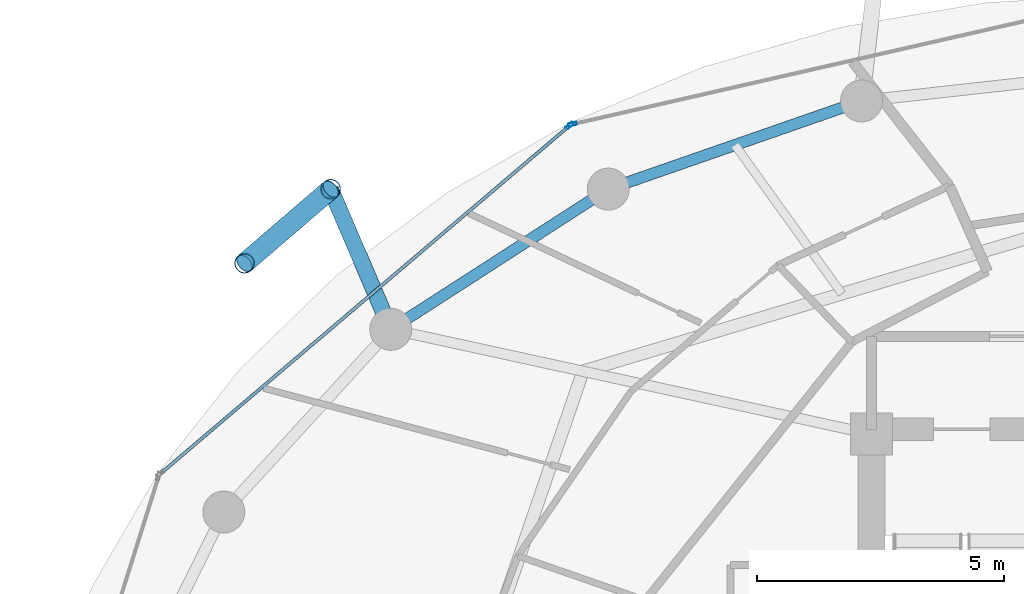
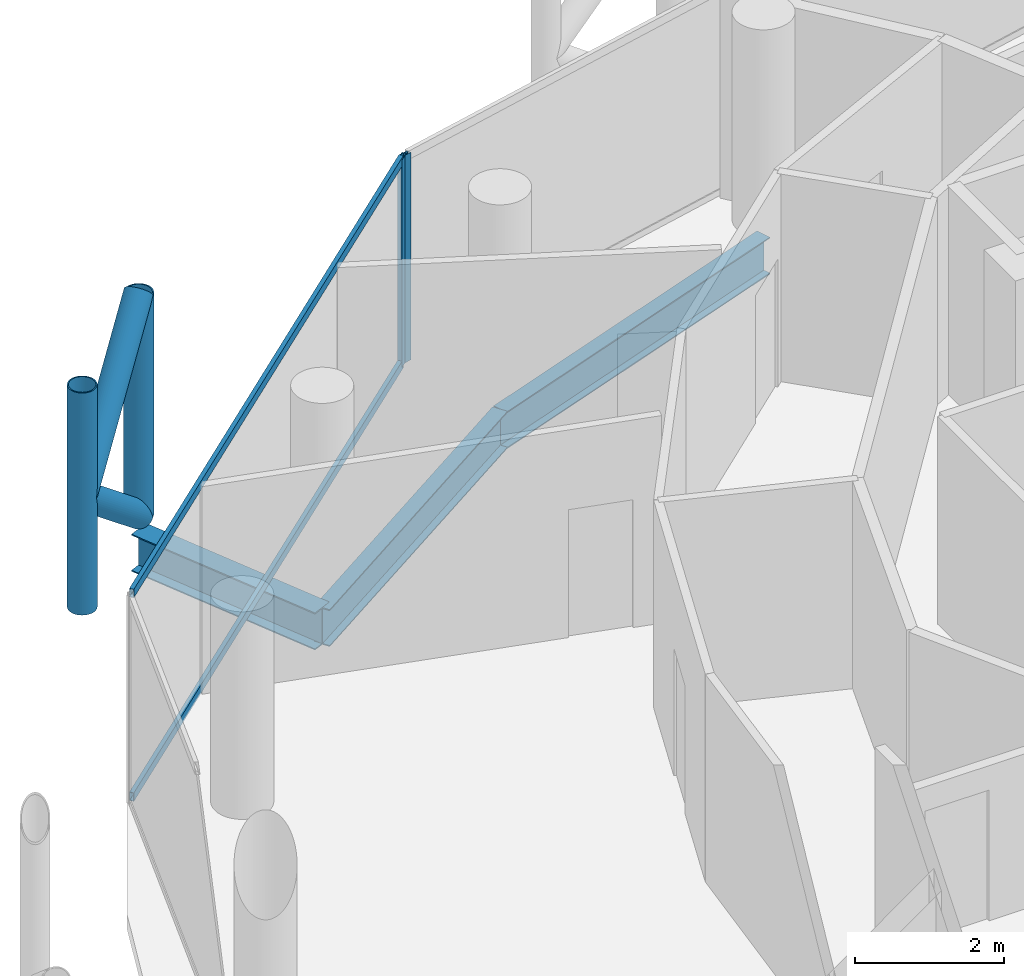
# One storey, part 18 of 27: 8 members, 3 beams, 2 elements without a shape of their own.
"""IFC4 building model written with IfcOpenShell, lengths in metres."""

from ifc_helpers import new_model, si_unit, direction, frame, origin, origin_2d, place, context, subcontext, project, spatial, hollow_rectangle, hollow_circle, i_section, extrude, material, layer, layer_set, material_profile, profile_set, type_object, element, aggregate, save


model = new_model("IFC4")

# Units and contexts
model_context = context("Model", 3, precision=1e-05, world=origin(), true_north=direction((0.0, 1.0)))
body_context = subcontext(model_context, "Body", "Model", "MODEL_VIEW")
ifc_project = project(units=[si_unit("LENGTHUNIT", "METRE"), si_unit("AREAUNIT", "SQUARE_METRE"), si_unit("VOLUMEUNIT", "CUBIC_METRE"), si_unit("PLANEANGLEUNIT", "RADIAN"), si_unit("MASSUNIT", "GRAM", prefix="KILO")], contexts=[model_context])

# Site, building, storey
site_placement = place(None, origin())
site = spatial("IfcSite", under=ifc_project, at=site_placement, CompositionType="ELEMENT")
building_placement = place(site_placement, origin())
building = spatial("IfcBuilding", under=site, at=building_placement, Name="Nuhasar Tower", CompositionType="ELEMENT")
storey_placement = place(building_placement, frame((0.0, 0.0, 226.39990234375)))
storey = spatial("IfcBuildingStorey", under=building, at=storey_placement, Name="L55", CompositionType="ELEMENT", Elevation=226.39990234375)

# Beams
ifc_material_1 = material(Name="Steel S355", Category="steel")
ifc_material_profile_1 = material_profile(ifc_material_1, i_section(OverallWidth=0.22802734375, OverallDepth=0.60791015625, WebThickness=0.01123046875, FlangeThickness=0.017333984375, at=origin_2d()), Name="W24X76")
ifc_profile_set_1 = profile_set([ifc_material_profile_1], Name="Steel S355")
beam_type_1 = type_object("IfcBeamType", Name="BM-RING-W24X76", PredefinedType="SPANDREL", material=ifc_profile_set_1)
beam_1_placement = place(storey_placement, frame((33.5, 44.0419921875, -0.5439453125), z_axis=(-0.944476764686, -0.328578211342, 0.0), x_axis=(0.328578211342, -0.944476764686, 0.0)))
element("IfcBeam", 1, at=beam_1_placement, inside=storey, type_object=beam_type_1, Name="L55 Perimeter Ring Spandrel 08", PredefinedType="SPANDREL", context=body_context, shape_type="SweptSolid", body=[
    extrude(i_section(OverallWidth=0.22802734375, OverallDepth=0.60791015625, WebThickness=0.01123046875, FlangeThickness=0.017333984375, at=origin_2d()), origin(), (0.0, 0.0, 1.0), 5.42626953125),
])
beam_2_placement = place(storey_placement, frame((28.375, 42.259033203125, -0.5439453125), z_axis=(-0.840502144969, -0.541808217272, 0.0), x_axis=(0.541808217272, -0.840502144969, 0.0)))
element("IfcBeam", 2, at=beam_2_placement, inside=storey, type_object=beam_type_1, Name="L55 Perimeter Ring Spandrel 09", PredefinedType="SPANDREL", context=body_context, shape_type="SweptSolid", body=[
    extrude(i_section(OverallWidth=0.22802734375, OverallDepth=0.60791015625, WebThickness=0.01123046875, FlangeThickness=0.017333984375, at=origin_2d()), origin(), (0.0, 0.0, 1.0), 5.236083984375),
])
ifc_material_profile_2 = material_profile(ifc_material_1, i_section(OverallWidth=0.323974609375, OverallDepth=0.611083984375, WebThickness=0.0126953125, FlangeThickness=0.01904296875, at=origin_2d()), Name="W24X104")
ifc_profile_set_2 = profile_set([ifc_material_profile_2], Name="Steel S355")
beam_type_2 = type_object("IfcBeamType", Name="BM-TIE-W24X104", PredefinedType="BEAM", material=ifc_profile_set_2)
beam_3_placement = place(storey_placement, frame((23.97412109375, 39.422119140625, -0.544921875), z_axis=(-0.393680429682, 0.919247365667, 0.0), x_axis=(-0.919247365667, -0.393680429682, 0.0)))
element("IfcBeam", 3, at=beam_3_placement, inside=storey, type_object=beam_type_2, Name="L55 Exoskeleton Node Tie Beam 05", PredefinedType="BEAM", context=body_context, shape_type="SweptSolid", body=[
    extrude(i_section(OverallWidth=0.323974609375, OverallDepth=0.611083984375, WebThickness=0.0126953125, FlangeThickness=0.01904296875, at=origin_2d()), origin(), (0.0, 0.0, 1.0), 3.083984375),
])

# Curtain wall, member
ifc_material_2 = material(Name="Aluminium 6063-T6", Category="aluminium")
ifc_layer = layer(ifc_material_2, 0.18994140625)
ifc_layer_set = layer_set([ifc_layer], Name="Aluminium 6063-T6")
curtain_wall_type = type_object("IfcCurtainWallType", Name="CW-Z3-RES", PredefinedType="NOTDEFINED", material=ifc_layer_set)
curtain_wall_1_placement = place(storey_placement, origin())
curtain_wall_1 = element("IfcCurtainWall", 4, at=curtain_wall_1_placement, inside=storey, type_object=curtain_wall_type, Name="L55 Unitised Curtain Wall 04", PredefinedType="NOTDEFINED")
ifc_material_profile_3 = material_profile(ifc_material_2, hollow_rectangle(XDim=0.06494140625, YDim=0.169921875, WallThickness=0.0048828125, at=origin_2d()), Name="CWM-4")
ifc_profile_set_3 = profile_set([ifc_material_profile_3], Name="Aluminium 6063-T6")
member_type_1 = type_object("IfcMemberType", Name="CW-MUL-S4", PredefinedType="MULLION", material=ifc_profile_set_3)
member_1_placement = place(storey_placement, frame((27.651611328125, 43.5732421875, 0.0), z_axis=(0.0, 0.0, 1.0), x_axis=(0.222243176313, -0.974991266926, 0.0)))
member_1 = element("IfcMember", 5, at=member_1_placement, type_object=member_type_1, Name="CW-Z3 mullion 2", PredefinedType="MULLION", context=body_context, shape_type="SweptSolid", body=[
    extrude(hollow_rectangle(XDim=0.06494140625, YDim=0.169921875, WallThickness=0.0048828125, at=origin_2d()), origin(), (0.0, 0.0, 1.0), 3.41015625),
])
aggregate(curtain_wall_1, [member_1])

# Curtain wall, members
curtain_wall_2_placement = place(storey_placement, origin())
curtain_wall_2 = element("IfcCurtainWall", 6, at=curtain_wall_2_placement, inside=storey, type_object=curtain_wall_type, Name="L55 Unitised Curtain Wall 05", PredefinedType="NOTDEFINED")
member_2_placement = place(storey_placement, frame((27.59521484375, 43.544921875, 0.0), z_axis=(0.0, 0.0, 1.0), x_axis=(0.64789521578, -0.761729472562, 0.0)))
member_2 = element("IfcMember", 7, at=member_2_placement, type_object=member_type_1, Name="CW-Z3 mullion 1", PredefinedType="MULLION", context=body_context, shape_type="SweptSolid", body=[
    extrude(hollow_rectangle(XDim=0.06494140625, YDim=0.169921875, WallThickness=0.0048828125, at=origin_2d()), origin(), (0.0, 0.0, 1.0), 3.41015625),
])
ifc_material_profile_4 = material_profile(ifc_material_2, hollow_rectangle(XDim=0.06494140625, YDim=0.139892578125, WallThickness=0.00439453125, at=origin_2d()), Name="CWT-4")
ifc_profile_set_4 = profile_set([ifc_material_profile_4], Name="Aluminium 6063-T6")
member_type_2 = type_object("IfcMemberType", Name="CW-TRN-S4", PredefinedType="USERDEFINED", material=ifc_profile_set_4)
member_3_placement = place(storey_placement, frame((27.570556640625, 43.52392578125, 0.03271484375), z_axis=(-0.761730809511, -0.647893643928, 0.0), x_axis=(0.647893643928, -0.761730809511, 0.0)))
member_3 = element("IfcMember", 8, at=member_3_placement, type_object=member_type_2, Name="CW-Z3 transom 1.1", ObjectType="TRANSOM", PredefinedType="USERDEFINED", context=body_context, shape_type="SweptSolid", body=[
    extrude(hollow_rectangle(XDim=0.06494140625, YDim=0.139892578125, WallThickness=0.00439453125, at=origin_2d()), origin(), (0.0, 0.0, 1.0), 10.806884765625),
])
member_4_placement = place(storey_placement, frame((27.570556640625, 43.52392578125, 3.377685546875), z_axis=(-0.761730809511, -0.647893643928, 0.0), x_axis=(0.647893643928, -0.761730809511, 0.0)))
member_4 = element("IfcMember", 9, at=member_4_placement, type_object=member_type_2, Name="CW-Z3 transom 1.2", ObjectType="TRANSOM", PredefinedType="USERDEFINED", context=body_context, shape_type="SweptSolid", body=[
    extrude(hollow_rectangle(XDim=0.06494140625, YDim=0.139892578125, WallThickness=0.00439453125, at=origin_2d()), origin(), (0.0, 0.0, 1.0), 10.806884765625),
])
aggregate(curtain_wall_2, [member_2, member_3, member_4])

# Members
ifc_material_3 = material(Name="Steel S460", Category="steel")
ifc_material_profile_5 = material_profile(ifc_material_3, hollow_circle(Radius=0.203125, WallThickness=0.01904296875, at=origin_2d()), Name="HSS406.4X19.1")
ifc_profile_set_5 = profile_set([ifc_material_profile_5], Name="Steel S460")
member_type_3 = type_object("IfcMemberType", Name="EXO-BRONZE-406", PredefinedType="BRACE", material=ifc_profile_set_5)
for number, where, z_axis, x_axis, name in (
    (10, (22.760009765625, 42.257080078125, 0.0), (0.0, 0.0, 1.0), (1.0, 0.0, 0.0), "L55 Exoskeleton Chord Column EC-05A"),
    (11, (21.01611328125, 40.758056640625, 0.0), (0.0, 0.0, 1.0), (1.0, 0.0, 0.0), "L55 Exoskeleton Chord Column EC-05B"),
):
    element("IfcMember", number, at=place(storey_placement, frame(where, z_axis=z_axis, x_axis=x_axis)), inside=storey, type_object=member_type_3, Name=name, PredefinedType="BRACE", context=body_context, shape_type="SweptSolid", body=[
        extrude(hollow_circle(Radius=0.203125, WallThickness=0.01904296875, at=origin_2d()), origin(), (0.0, 0.0, 1.0), 3.650146484375),
    ])
for number, where, z_axis, x_axis, name in (
    (12, (22.760009765625, 42.257080078125, 0.0), (-0.593987827832, -0.51058172517, 0.621678986543), (0.65185738425, -0.758341579104, 0.0), "L55 Bronze Diagrid Brace W1-05"),
    (13, (21.01611328125, 40.758056640625, 1.8251953125), (0.594018535389, 0.510608120858, 0.621627964725), (-0.65185738425, 0.758341579104, 0.0), "L55 Bronze Diagrid Brace W2-05"),
):
    element("IfcMember", number, at=place(storey_placement, frame(where, z_axis=z_axis, x_axis=x_axis)), inside=storey, type_object=member_type_3, Name=name, PredefinedType="BRACE", context=body_context, shape_type="SweptSolid", body=[
        extrude(hollow_circle(Radius=0.203125, WallThickness=0.01904296875, at=origin_2d()), origin(), (0.0, 0.0, 1.0), 2.935791015625),
    ])

save(model, "model.ifc")
